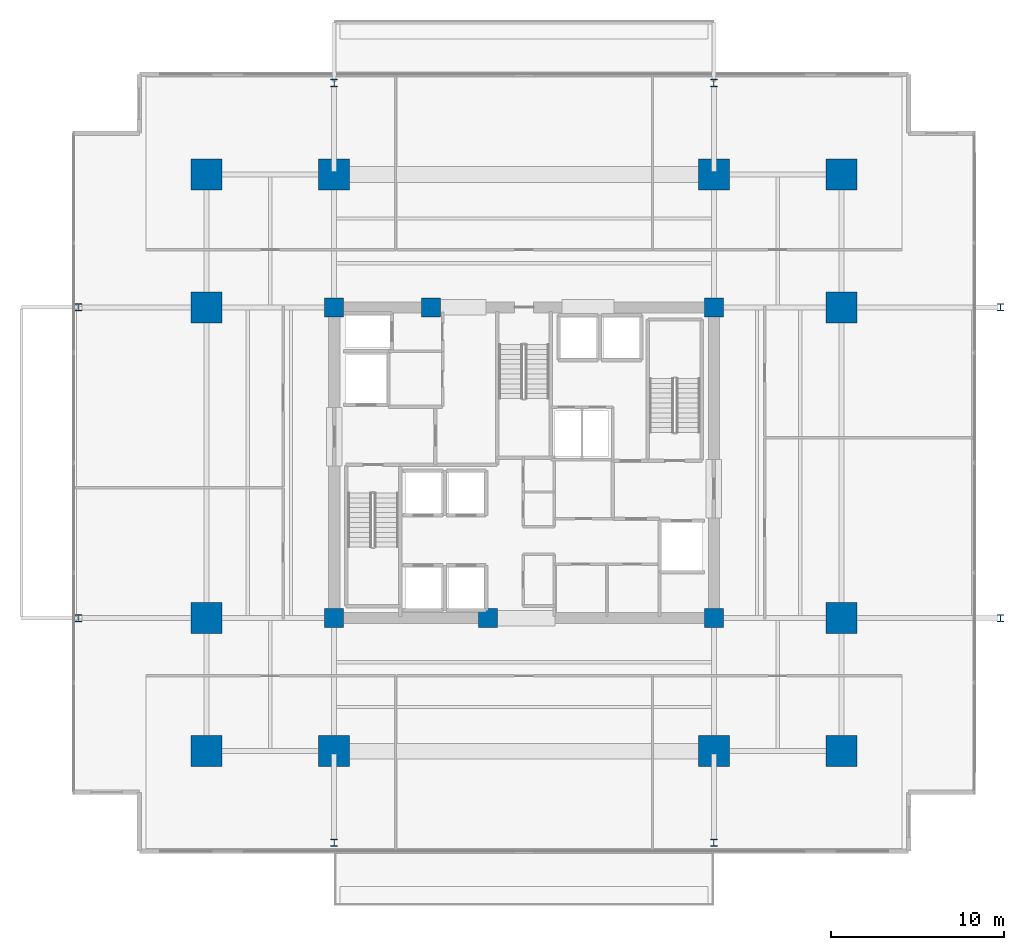
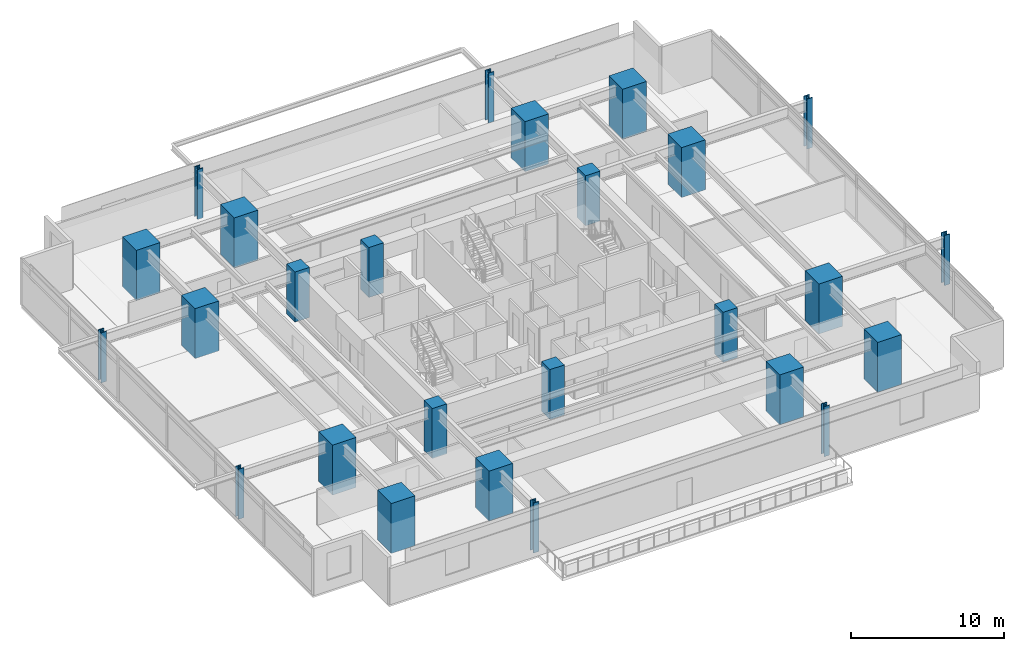
# One storey, part 1 of 22: 26 columns.
"""IFC4 building model written with IfcOpenShell, lengths in metres."""

from ifc_helpers import new_model, si_unit, direction, frame, origin, origin_2d, place, context, subcontext, project, spatial, rectangle, i_section, extrude, material, material_profile, profile_set, type_object, element, save


model = new_model("IFC4")

# Units and contexts
model_context = context("Model", 3, precision=1e-05, world=origin(), true_north=direction((0.0, 1.0)))
body_context = subcontext(model_context, "Body", "Model", "MODEL_VIEW")
ifc_project = project(units=[si_unit("LENGTHUNIT", "METRE"), si_unit("AREAUNIT", "SQUARE_METRE"), si_unit("VOLUMEUNIT", "CUBIC_METRE"), si_unit("PLANEANGLEUNIT", "RADIAN"), si_unit("MASSUNIT", "GRAM", prefix="KILO")], contexts=[model_context])

# Site, building, storey
site_placement = place(None, origin())
site = spatial("IfcSite", under=ifc_project, at=site_placement, CompositionType="ELEMENT")
building_placement = place(site_placement, origin())
building = spatial("IfcBuilding", under=site, at=building_placement, Name="Kovane Verandah Tower", CompositionType="ELEMENT")
storey_placement = place(building_placement, frame((0.0, 0.0, 71.60009765625)))
storey = spatial("IfcBuildingStorey", under=building, at=storey_placement, Name="L16", CompositionType="ELEMENT", Elevation=71.60009765625)

# Columns
ifc_material_1 = material(Name="Concrete C80/95", Category="concrete")
ifc_material_profile_1 = material_profile(ifc_material_1, rectangle(XDim=1.800048828125, YDim=1.800048828125, at=origin_2d()), Name="RC1800x1800")
ifc_profile_set_1 = profile_set([ifc_material_profile_1], Name="Concrete C80/95")
column_type_1 = type_object("IfcColumnType", Name="COL-RC1800", PredefinedType="COLUMN", material=ifc_profile_set_1)
for number, where, z_axis, x_axis, name in (
    (1, (29.0, 10.800048828125, 0.0), (0.0, 0.0, 1.0), (1.0, 0.0, 0.0), "L16 Tower Mega-Column MC-S1"),
    (2, (51.0, 10.800048828125, 0.0), (0.0, 0.0, 1.0), (1.0, 0.0, 0.0), "L16 Tower Mega-Column MC-S2"),
    (3, (29.0, 44.199951171875, 0.0), (0.0, 0.0, 1.0), (1.0, 0.0, 0.0), "L16 Tower Mega-Column MC-N1"),
    (4, (51.0, 44.199951171875, 0.0), (0.0, 0.0, 1.0), (1.0, 0.0, 0.0), "L16 Tower Mega-Column MC-N2"),
    (5, (21.60009765625, 18.5, 0.0), (0.0, 0.0, 1.0), (1.0, 0.0, 0.0), "L16 Tower Mega-Column MC-W1"),
    (6, (21.60009765625, 36.5, 0.0), (0.0, 0.0, 1.0), (1.0, 0.0, 0.0), "L16 Tower Mega-Column MC-W2"),
    (7, (58.39990234375, 18.5, 0.0), (0.0, 0.0, 1.0), (1.0, 0.0, 0.0), "L16 Tower Mega-Column MC-E1"),
    (8, (58.39990234375, 36.5, 0.0), (0.0, 0.0, 1.0), (1.0, 0.0, 0.0), "L16 Tower Mega-Column MC-E2"),
    (9, (21.60009765625, 10.800048828125, 0.0), (0.0, 0.0, 1.0), (1.0, 0.0, 0.0), "L16 Tower Mega-Column MC-SW"),
    (10, (58.39990234375, 10.800048828125, 0.0), (0.0, 0.0, 1.0), (1.0, 0.0, 0.0), "L16 Tower Mega-Column MC-SE"),
    (11, (21.60009765625, 44.199951171875, 0.0), (0.0, 0.0, 1.0), (1.0, 0.0, 0.0), "L16 Tower Mega-Column MC-NW"),
    (12, (58.39990234375, 44.199951171875, 0.0), (0.0, 0.0, 1.0), (1.0, 0.0, 0.0), "L16 Tower Mega-Column MC-NE"),
):
    element("IfcColumn", number, at=place(storey_placement, frame(where, z_axis=z_axis, x_axis=x_axis)), inside=storey, type_object=column_type_1, Name=name, PredefinedType="COLUMN", context=body_context, shape_type="SweptSolid", body=[
        extrude(rectangle(XDim=1.800048828125, YDim=1.800048828125, at=origin_2d()), origin(), (0.0, 0.0, 1.0), 4.0),
    ])
ifc_material_2 = material(Name="Steel S460", Category="steel")
ifc_material_profile_2 = material_profile(ifc_material_2, i_section(OverallWidth=0.412109375, OverallDepth=0.4365234375, WebThickness=0.035888671875, FlangeThickness=0.05810546875, FilletRadius=0.01513671875, at=origin_2d()), Name="UC356x406x467")
ifc_profile_set_2 = profile_set([ifc_material_profile_2], Name="Steel S460")
column_type_2 = type_object("IfcColumnType", Name="COL-UC467", PredefinedType="COLUMN", material=ifc_profile_set_2)
for number, where, z_axis, x_axis, name in (
    (13, (14.199951171875, 18.5, 0.0), (0.0, 0.0, 1.0), (1.0, 0.0, 0.0), "L16 Verandah Perimeter Column VC-W1"),
    (14, (14.199951171875, 36.5, 0.0), (0.0, 0.0, 1.0), (1.0, 0.0, 0.0), "L16 Verandah Perimeter Column VC-W2"),
    (15, (67.60009765625, 18.5, 0.0), (0.0, 0.0, 1.0), (1.0, 0.0, 0.0), "L16 Verandah Perimeter Column VC-E1"),
    (16, (67.60009765625, 36.5, 0.0), (0.0, 0.0, 1.0), (1.0, 0.0, 0.0), "L16 Verandah Perimeter Column VC-E2"),
    (17, (29.0, 5.5, 0.0), (0.0, 0.0, 1.0), (1.0, 0.0, 0.0), "L16 Verandah Perimeter Column VC-S1"),
    (18, (51.0, 5.5, 0.0), (0.0, 0.0, 1.0), (1.0, 0.0, 0.0), "L16 Verandah Perimeter Column VC-S2"),
    (19, (29.0, 49.5, 0.0), (0.0, 0.0, 1.0), (1.0, 0.0, 0.0), "L16 Verandah Perimeter Column VC-N1"),
    (20, (51.0, 49.5, 0.0), (0.0, 0.0, 1.0), (1.0, 0.0, 0.0), "L16 Verandah Perimeter Column VC-N2"),
):
    element("IfcColumn", number, at=place(storey_placement, frame(where, z_axis=z_axis, x_axis=x_axis)), inside=storey, type_object=column_type_2, Name=name, PredefinedType="COLUMN", context=body_context, shape_type="SweptSolid", body=[
        extrude(i_section(OverallWidth=0.412109375, OverallDepth=0.4365234375, WebThickness=0.035888671875, FlangeThickness=0.05810546875, FilletRadius=0.01513671875, at=origin_2d()), origin(), (0.0, 0.0, 1.0), 4.0),
    ])
ifc_material_profile_3 = material_profile(ifc_material_1, rectangle(XDim=1.10009765625, YDim=1.10009765625, at=origin_2d()), Name="RC1100x1100")
ifc_profile_set_3 = profile_set([ifc_material_profile_3], Name="Concrete C80/95")
column_type_3 = type_object("IfcColumnType", Name="PIL-RC1100", PredefinedType="PILASTER", material=ifc_profile_set_3)
for number, where, z_axis, x_axis, name in (
    (21, (29.0, 18.5, 0.0), (0.0, 0.0, 1.0), (1.0, 0.0, 0.0), "L16 Core Pilaster CP-SW"),
    (22, (51.0, 18.5, 0.0), (0.0, 0.0, 1.0), (1.0, 0.0, 0.0), "L16 Core Pilaster CP-SE"),
    (23, (29.0, 36.5, 0.0), (0.0, 0.0, 1.0), (1.0, 0.0, 0.0), "L16 Core Pilaster CP-NW"),
    (24, (51.0, 36.5, 0.0), (0.0, 0.0, 1.0), (1.0, 0.0, 0.0), "L16 Core Pilaster CP-NE"),
    (25, (37.89990234375, 18.5, 0.0), (0.0, 0.0, 1.0), (1.0, 0.0, 0.0), "L16 Core Pilaster CP-S"),
    (26, (34.60009765625, 36.5, 0.0), (0.0, 0.0, 1.0), (1.0, 0.0, 0.0), "L16 Core Pilaster CP-N"),
):
    element("IfcColumn", number, at=place(storey_placement, frame(where, z_axis=z_axis, x_axis=x_axis)), inside=storey, type_object=column_type_3, Name=name, PredefinedType="PILASTER", context=body_context, shape_type="SweptSolid", body=[
        extrude(rectangle(XDim=1.10009765625, YDim=1.10009765625, at=origin_2d()), origin(), (0.0, 0.0, 1.0), 4.0),
    ])

save(model, "model.ifc")
